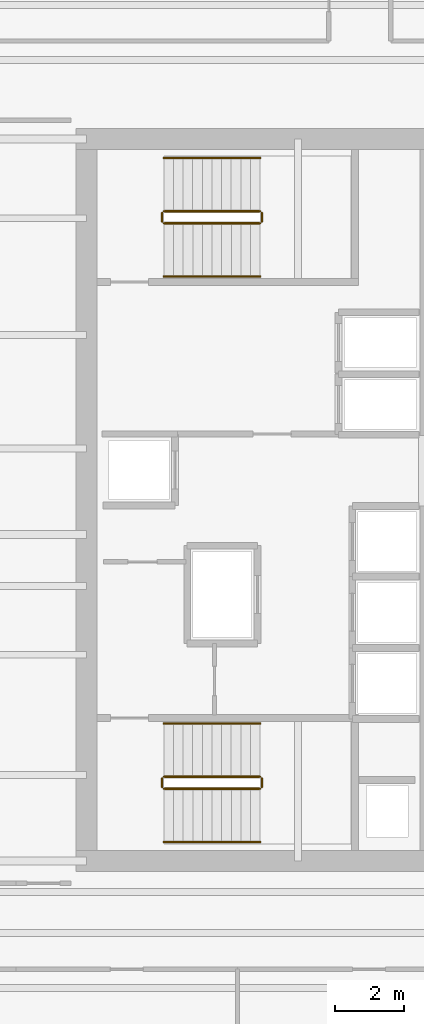
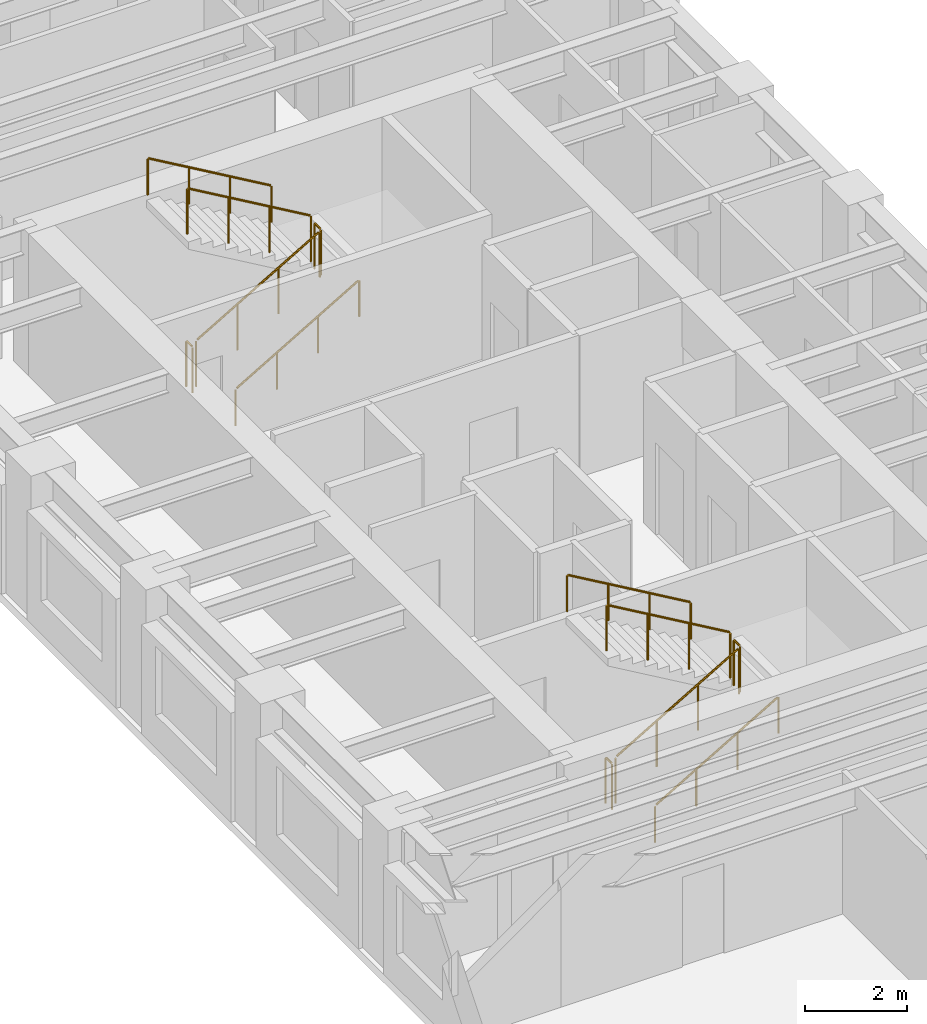
# One storey, part 12 of 13: 12 railings.
"""IFC4 building model written with IfcOpenShell, lengths in metres."""

from ifc_helpers import new_model, si_unit, direction, frame, origin, origin_2d, place, context, subcontext, project, spatial, circle, extrude, source, transform, mapped, material, layer, layer_set, type_object, element, save


model = new_model("IFC4")

# Units and contexts
model_context = context("Model", 3, precision=1e-05, world=origin(), true_north=direction((0.0, 1.0)))
body_context = subcontext(model_context, "Body", "Model", "MODEL_VIEW")
ifc_project = project(units=[si_unit("LENGTHUNIT", "METRE"), si_unit("AREAUNIT", "SQUARE_METRE"), si_unit("VOLUMEUNIT", "CUBIC_METRE"), si_unit("PLANEANGLEUNIT", "RADIAN"), si_unit("MASSUNIT", "GRAM", prefix="KILO")], contexts=[model_context])

# Site, building, storey
site_placement = place(None, origin())
site = spatial("IfcSite", under=ifc_project, at=site_placement, CompositionType="ELEMENT")
building_placement = place(site_placement, origin())
building = spatial("IfcBuilding", under=site, at=building_placement, Name="Kharzan Plaza Tower", CompositionType="ELEMENT")
storey_placement = place(building_placement, frame((0.0, 0.0, 161.10009765625)))
storey = spatial("IfcBuildingStorey", under=building, at=storey_placement, Name="L43", CompositionType="ELEMENT", Elevation=161.10009765625)

# Railings
ifc_material_1 = material(Name="Painted Galvanized Architectural Steel", Category="steel")
ifc_layer_1 = layer(ifc_material_1, 0.074951171875)
ifc_layer_set_1 = layer_set([ifc_layer_1], Name="Painted Galvanized Architectural Steel")
railing_type_1 = type_object("IfcRailingType", Name="RL-GUARD-1120", PredefinedType="BALUSTRADE", material=ifc_layer_set_1)
shared_shape_1 = source(origin(), body_context, "Body", "SweptSolid", [
    extrude(circle(Radius=0.02392578125, at=origin_2d()), frame((0.0, 0.0263671875, 1.09619140625), z_axis=(0.0, 1.0, 0.0), x_axis=(-1.0, 0.0, 0.0)), (0.0, 0.0, 1.0), 0.197021484375),
    extrude(circle(Radius=0.02099609375, at=origin_2d()), origin(), (0.0, 0.0, 1.0), 1.072021484375),
    extrude(circle(Radius=0.02099609375, at=origin_2d()), frame((0.0, 0.25, 0.0)), (0.0, 0.0, 1.0), 1.072021484375),
])
for number, where, name in (
    (1, (9.60009765625, 10.64990234375, 1.7998046875), "L43 ST-1 stair guard 2"),
    (2, (6.699951171875, 10.64990234375, 0.0), "L43 ST-1 stair guard 4"),
    (3, (9.60009765625, 27.10009765625, 1.7998046875), "L43 ST-2 stair guard 2"),
    (4, (6.699951171875, 27.10009765625, 0.0), "L43 ST-2 stair guard 4"),
):
    element("IfcRailing", number, at=place(storey_placement, frame(where)), inside=storey, type_object=railing_type_1, Name=name, PredefinedType="BALUSTRADE", context=body_context, shape_type="MappedRepresentation", body=[
        mapped(shared_shape_1, transform((0.0, 0.0, 0.0), x_axis=(1.0, 0.0, 0.0), y_axis=(0.0, 1.0, 0.0), z_axis=(0.0, 0.0, 1.0))),
    ])
shared_shape_2 = source(origin(), body_context, "Body", "SweptSolid", [
    extrude(circle(Radius=0.02392578125, at=origin_2d()), frame((0.02294921875, 0.0, 1.109375), z_axis=(0.863393664356, 0.0, 0.504530851732), x_axis=(0.0, 1.0, 0.0)), (0.0, 0.0, 1.0), 3.190185546875),
    extrude(circle(Radius=0.02099609375, at=origin_2d()), origin(), (0.0, 0.0, 1.0), 1.072021484375),
    extrude(circle(Radius=0.02099609375, at=origin_2d()), frame((0.933349609375, 0.0, 0.54541015625)), (0.0, 0.0, 1.0), 1.072021484375),
    extrude(circle(Radius=0.02099609375, at=origin_2d()), frame((1.86669921875, 0.0, 1.0908203125)), (0.0, 0.0, 1.0), 1.072021484375),
    extrude(circle(Radius=0.02099609375, at=origin_2d()), frame((2.800048828125, 0.0, 1.63623046875)), (0.0, 0.0, 1.0), 1.072021484375),
])
for number, where, name in (
    (5, (6.75, 10.60009765625, 0.16357421875), "L43 ST-1 stair guard 1"),
    (6, (6.75, 27.050048828125, 0.16357421875), "L43 ST-2 stair guard 1"),
):
    element("IfcRailing", number, at=place(storey_placement, frame(where)), inside=storey, type_object=railing_type_1, Name=name, PredefinedType="BALUSTRADE", context=body_context, shape_type="MappedRepresentation", body=[
        mapped(shared_shape_2, transform((0.0, 0.0, 0.0), x_axis=(1.0, 0.0, 0.0), y_axis=(0.0, 1.0, 0.0), z_axis=(0.0, 0.0, 1.0))),
    ])
shared_shape_3 = source(origin(), body_context, "Body", "SweptSolid", [
    extrude(circle(Radius=0.02392578125, at=origin_2d()), frame((-0.02294921875, 0.0, 1.109375), z_axis=(-0.863393664356, 0.0, 0.504530851732), x_axis=(0.0, -1.0, 0.0)), (0.0, 0.0, 1.0), 3.190185546875),
    extrude(circle(Radius=0.02099609375, at=origin_2d()), origin(), (0.0, 0.0, 1.0), 1.072021484375),
    extrude(circle(Radius=0.02099609375, at=origin_2d()), frame((-0.933349609375, 0.0, 0.54541015625)), (0.0, 0.0, 1.0), 1.072021484375),
    extrude(circle(Radius=0.02099609375, at=origin_2d()), frame((-1.86669921875, 0.0, 1.0908203125)), (0.0, 0.0, 1.0), 1.072021484375),
    extrude(circle(Radius=0.02099609375, at=origin_2d()), frame((-2.800048828125, 0.0, 1.63623046875)), (0.0, 0.0, 1.0), 1.072021484375),
])
for number, where, name in (
    (7, (9.550048828125, 10.949951171875, 1.963623046875), "L43 ST-1 stair guard 3"),
    (8, (9.550048828125, 27.39990234375, 1.963623046875), "L43 ST-2 stair guard 3"),
):
    element("IfcRailing", number, at=place(storey_placement, frame(where)), inside=storey, type_object=railing_type_1, Name=name, PredefinedType="BALUSTRADE", context=body_context, shape_type="MappedRepresentation", body=[
        mapped(shared_shape_3, transform((0.0, 0.0, 0.0), x_axis=(1.0, 0.0, 0.0), y_axis=(0.0, 1.0, 0.0), z_axis=(0.0, 0.0, 1.0))),
    ])
ifc_material_2 = material(Name="Brushed Stainless Steel", Category="steel")
ifc_layer_2 = layer(ifc_material_2, 0.050048828125)
ifc_layer_set_2 = layer_set([ifc_layer_2], Name="Brushed Stainless Steel")
railing_type_2 = type_object("IfcRailingType", Name="RL-STAIR-HR920", PredefinedType="HANDRAIL", material=ifc_layer_set_2)
shared_shape_4 = source(origin(), body_context, "Body", "SweptSolid", [
    extrude(circle(Radius=0.02392578125, at=origin_2d()), frame((0.02294921875, 0.0, 0.88916015625), z_axis=(0.863393664356, 0.0, 0.504530851732), x_axis=(0.0, 1.0, 0.0)), (0.0, 0.0, 1.0), 3.190185546875),
    extrude(circle(Radius=0.02099609375, at=origin_2d()), origin(), (0.0, 0.0, 1.0), 0.851806640625),
    extrude(circle(Radius=0.02099609375, at=origin_2d()), frame((0.933349609375, 0.0, 0.54541015625)), (0.0, 0.0, 1.0), 0.851806640625),
    extrude(circle(Radius=0.02099609375, at=origin_2d()), frame((1.86669921875, 0.0, 1.0908203125)), (0.0, 0.0, 1.0), 0.851806640625),
    extrude(circle(Radius=0.02099609375, at=origin_2d()), frame((2.800048828125, 0.0, 1.63623046875)), (0.0, 0.0, 1.0), 0.851806640625),
])
for number, where, name in (
    (9, (6.75, 9.050048828125, 0.16357421875), "L43 ST-1 stair handrail 1"),
    (10, (6.75, 25.5, 0.16357421875), "L43 ST-2 stair handrail 1"),
):
    element("IfcRailing", number, at=place(storey_placement, frame(where)), inside=storey, type_object=railing_type_2, Name=name, PredefinedType="HANDRAIL", context=body_context, shape_type="MappedRepresentation", body=[
        mapped(shared_shape_4, transform((0.0, 0.0, 0.0), x_axis=(1.0, 0.0, 0.0), y_axis=(0.0, 1.0, 0.0), z_axis=(0.0, 0.0, 1.0))),
    ])
shared_shape_5 = source(origin(), body_context, "Body", "SweptSolid", [
    extrude(circle(Radius=0.02392578125, at=origin_2d()), frame((-0.02294921875, 0.0, 0.88916015625), z_axis=(-0.863393664356, 0.0, 0.504530851732), x_axis=(0.0, -1.0, 0.0)), (0.0, 0.0, 1.0), 3.190185546875),
    extrude(circle(Radius=0.02099609375, at=origin_2d()), origin(), (0.0, 0.0, 1.0), 0.851806640625),
    extrude(circle(Radius=0.02099609375, at=origin_2d()), frame((-0.933349609375, 0.0, 0.54541015625)), (0.0, 0.0, 1.0), 0.851806640625),
    extrude(circle(Radius=0.02099609375, at=origin_2d()), frame((-1.86669921875, 0.0, 1.0908203125)), (0.0, 0.0, 1.0), 0.851806640625),
    extrude(circle(Radius=0.02099609375, at=origin_2d()), frame((-2.800048828125, 0.0, 1.63623046875)), (0.0, 0.0, 1.0), 0.851806640625),
])
for number, where, name in (
    (11, (9.550048828125, 12.5, 1.963623046875), "L43 ST-1 stair handrail 2"),
    (12, (9.550048828125, 28.949951171875, 1.963623046875), "L43 ST-2 stair handrail 2"),
):
    element("IfcRailing", number, at=place(storey_placement, frame(where)), inside=storey, type_object=railing_type_2, Name=name, PredefinedType="HANDRAIL", context=body_context, shape_type="MappedRepresentation", body=[
        mapped(shared_shape_5, transform((0.0, 0.0, 0.0), x_axis=(1.0, 0.0, 0.0), y_axis=(0.0, 1.0, 0.0), z_axis=(0.0, 0.0, 1.0))),
    ])

save(model, "model.ifc")
